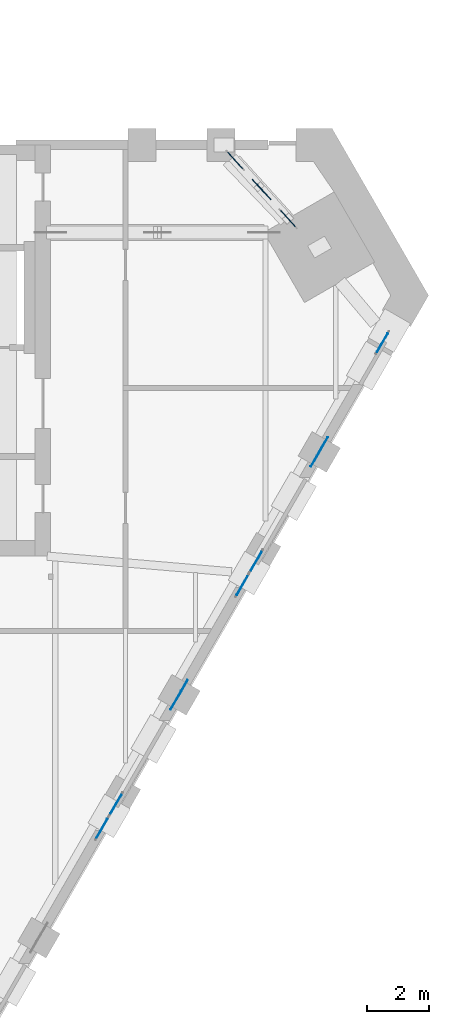
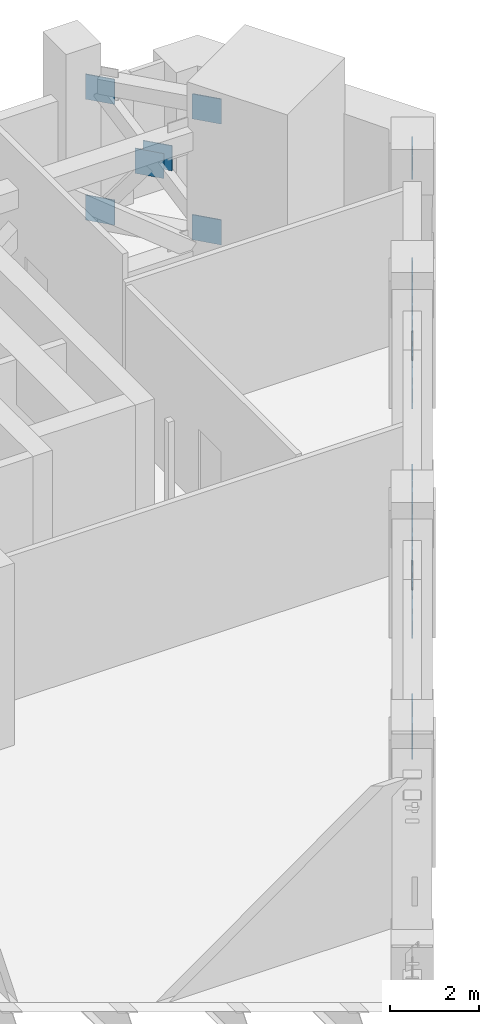
# One storey, part 20 of 22: 20 discrete accessories.
"""IFC4 building model written with IfcOpenShell, lengths in metres."""

from ifc_helpers import new_model, si_unit, direction, frame, origin, origin_2d, place, context, subcontext, project, spatial, rectangle, extrude, material, type_object, element, save


model = new_model("IFC4")

# Units and contexts
model_context = context("Model", 3, precision=1e-05, world=origin(), true_north=direction((0.0, 1.0)))
body_context = subcontext(model_context, "Body", "Model", "MODEL_VIEW")
ifc_project = project(units=[si_unit("LENGTHUNIT", "METRE"), si_unit("AREAUNIT", "SQUARE_METRE"), si_unit("VOLUMEUNIT", "CUBIC_METRE"), si_unit("PLANEANGLEUNIT", "RADIAN"), si_unit("MASSUNIT", "GRAM", prefix="KILO")], contexts=[model_context])

# Site, building, storey
site_placement = place(None, origin())
site = spatial("IfcSite", under=ifc_project, at=site_placement, CompositionType="ELEMENT")
building_placement = place(site_placement, origin())
building = spatial("IfcBuilding", under=site, at=building_placement, Name="Calabash Gate Tower", CompositionType="ELEMENT")
storey_placement = place(building_placement, frame((0.0, 0.0, 191.39990234375)))
storey = spatial("IfcBuildingStorey", under=building, at=storey_placement, Name="L45", CompositionType="ELEMENT", Elevation=191.39990234375)

# Discrete accessories
ifc_material = material(Name="Steel ASTM A572 Gr50", Category="steel")
discrete_accessory_type = type_object("IfcDiscreteAccessoryType", Name="Connection plate 25", PredefinedType="BRACKET", material=ifc_material)
for number, where, z_axis, x_axis, name in (
    (1, (17.24658203125, -2.883544921875, 3.3798828125), (0.0, 0.0, 1.0), (0.499999984885, 0.866025412511, 0.0), "Connection plate Belt diagonal L45 48 end"),
    (2, (17.24658203125, -2.883544921875, 0.0625), (0.0, 0.0, 1.0), (0.499999954655, 0.866025429964, 0.0), "Connection plate Belt diagonal (split) L45 50 half 2 of 2 end"),
    (3, (17.69677734375, -2.10400390625, 0.0625), (0.0, 0.0, 1.0), (0.49999993954, 0.866025438691, 0.0), "Connection plate Belt diagonal L45 53 start"),
    (4, (21.74658203125, 4.91064453125, 3.3798828125), (0.0, 0.0, 1.0), (0.49999993954, 0.866025438691, 0.0), "Connection plate Belt diagonal L45 53 end"),
    (5, (17.69677734375, -2.10400390625, 3.3798828125), (0.0, 0.0, 1.0), (0.49999984885, 0.866025491051, 0.0), "Connection plate Belt diagonal (split) L45 54 half 1 of 2 start"),
    (6, (19.62109375, 1.229248046875, 1.8037109375), (0.0, 0.0, 1.0), (0.49999984885, 0.866025491051, 0.0), "Connection plate Belt diagonal (split) L45 54 half 1 of 2 end"),
    (7, (19.822265625, 1.577392578125, 1.638671875), (0.0, 0.0, 1.0), (0.49999984885, 0.866025491051, 0.0), "Connection plate Belt diagonal (split) L45 55 half 2 of 2 start"),
    (8, (21.74658203125, 4.91064453125, 0.0625), (0.0, 0.0, 1.0), (0.49999984885, 0.866025491051, 0.0), "Connection plate Belt diagonal (split) L45 55 half 2 of 2 end"),
    (9, (22.19677734375, 5.690185546875, 0.0625), (0.0, 0.0, 1.0), (0.499999984885, 0.866025412511, 0.0), "Connection plate Belt diagonal L45 58 start"),
    (10, (26.24658203125, 12.705078125, 3.3798828125), (0.0, 0.0, 1.0), (0.499999984885, 0.866025412511, 0.0), "Connection plate Belt diagonal L45 58 end"),
    (11, (22.19677734375, 5.690185546875, 3.3798828125), (0.0, 0.0, 1.0), (0.499999954655, 0.866025429964, 0.0), "Connection plate Belt diagonal (split) L45 59 half 1 of 2 start"),
    (12, (24.12109375, 9.0234375, 1.8037109375), (0.0, 0.0, 1.0), (0.499999954655, 0.866025429964, 0.0), "Connection plate Belt diagonal (split) L45 59 half 1 of 2 end"),
    (13, (24.322265625, 9.37158203125, 1.638671875), (0.0, 0.0, 1.0), (0.499999954655, 0.866025429964, 0.0), "Connection plate Belt diagonal (split) L45 60 half 2 of 2 start"),
    (14, (26.24658203125, 12.705078125, 0.0625), (0.0, 0.0, 1.0), (0.499999954655, 0.866025429964, 0.0), "Connection plate Belt diagonal (split) L45 60 half 2 of 2 end"),
    (15, (23.21533203125, 16.6875, 0.0625), (0.0, 0.0, 1.0), (-0.671554079455, 0.740955544124, 0.0), "Connection plate Belt diagonal L45 63 start"),
    (16, (21.521728515625, 18.55615234375, 3.3798828125), (0.0, 0.0, 1.0), (-0.671554079455, 0.740955544124, 0.0), "Connection plate Belt diagonal L45 63 end"),
    (17, (23.21533203125, 16.6875, 3.3798828125), (0.0, 0.0, 1.0), (-0.671553911337, 0.740955696495, 0.0), "Connection plate Belt diagonal (split) L45 64 half 1 of 2 start"),
    (18, (22.432861328125, 17.551025390625, 1.84716796875), (0.0, 0.0, 1.0), (-0.671553911337, 0.740955696495, 0.0), "Connection plate Belt diagonal (split) L45 64 half 1 of 2 end"),
    (19, (22.30419921875, 17.69287109375, 1.59521484375), (0.0, 0.0, 1.0), (-0.671554338097, 0.740955309707, 0.0), "Connection plate Belt diagonal (split) L45 65 half 2 of 2 start"),
    (20, (21.521728515625, 18.55615234375, 0.0625), (0.0, 0.0, 1.0), (-0.671554338097, 0.740955309707, 0.0), "Connection plate Belt diagonal (split) L45 65 half 2 of 2 end"),
):
    element("IfcDiscreteAccessory", number, at=place(storey_placement, frame(where, z_axis=z_axis, x_axis=x_axis)), inside=storey, type_object=discrete_accessory_type, Name=name, PredefinedType="BRACKET", context=body_context, shape_type="SweptSolid", body=[
        extrude(rectangle(XDim=0.687744140625, YDim=0.02490234375, at=origin_2d()), origin(), (0.0, 0.0, 1.0), 0.687744140625),
    ])

save(model, "model.ifc")
